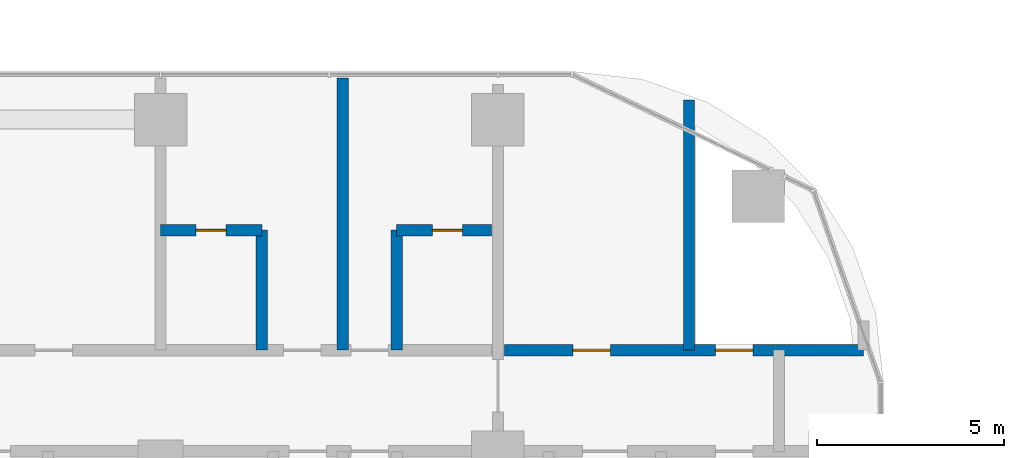
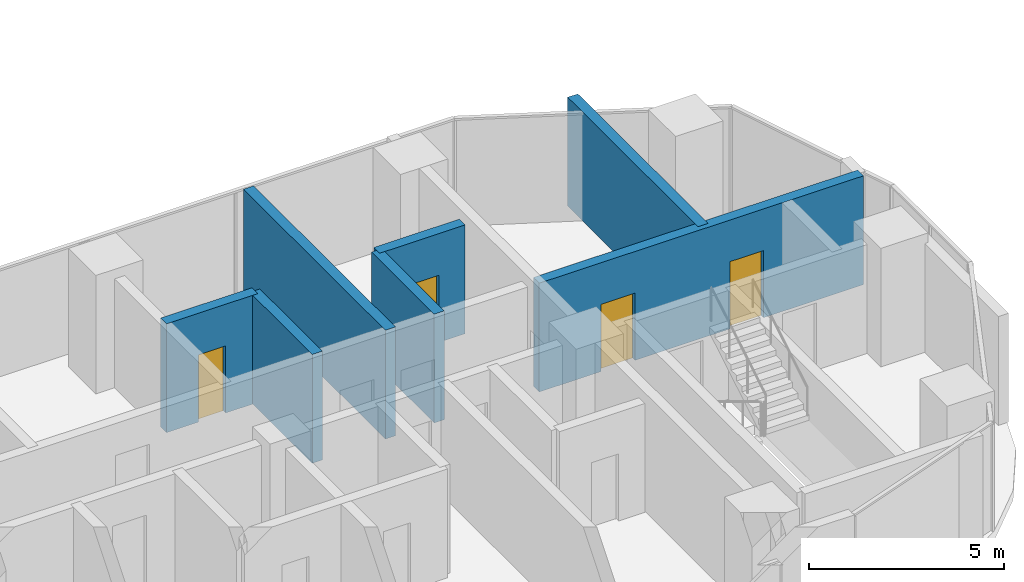
# One storey, part 21 of 36: 7 walls, 4 doors, 4 openings.
"""IFC4 building model written with IfcOpenShell, lengths in metres."""

import ifcopenshell
import ifcopenshell.guid

model = None  # the IFC model being written
_history = None  # IfcOwnerHistory: only IFC2X3 demands one
_inside = {}  # id of a spatial element -> (the spatial element, [elements in it])
_under = {}  # id of a project, library or spatial element -> (it, [spatial elements below it])
_declared = {}  # id of a project -> (the project, [libraries it declares])
_typed = {}  # id of a type object -> (the type object, [elements of that type])
_made_of = {}  # id of a material, layer set ... -> (it, [elements and type objects made of it])


def new_model(schema):
    """Start an empty IFC model of exactly this schema.

    Asked for "IFC4X3", IfcOpenShell would pick the latest addendum, in which some entities
    have other attributes; the version numbers below select the first issue.
    IFC2X3 requires an IfcOwnerHistory on every rooted entity: one is made here for all.
    """
    global model, _history
    if schema == "IFC4X3":
        model = ifcopenshell.file(schema_version=(4, 3, 0, 0))
    else:
        model = ifcopenshell.file(schema=schema)
    _inside.clear()
    _under.clear()
    _declared.clear()
    _typed.clear()
    _made_of.clear()
    _history = None
    if model.schema == "IFC2X3":
        org = make("IfcOrganization", Name="unknown")
        user = make(
            "IfcPersonAndOrganization",
            ThePerson=make("IfcPerson", FamilyName="unknown"),
            TheOrganization=org,
        )
        app = make(
            "IfcApplication",
            ApplicationDeveloper=org,
            Version="unknown",
            ApplicationFullName="unknown",
            ApplicationIdentifier="unknown",
        )
        _history = make(
            "IfcOwnerHistory",
            OwningUser=user,
            OwningApplication=app,
            ChangeAction="ADDED",
            CreationDate=0,
        )
    return model


def make(cls, **values):
    """One entity of the class cls with the attributes given. An attribute that is None is left unset."""
    return model.create_entity(
        cls, **{name: value for name, value in values.items() if value is not None}
    )


def rooted(cls, **values):
    """An entity with a GlobalId (a new one), such as an element, a storey or a relation."""
    return make(cls, GlobalId=ifcopenshell.guid.new(), OwnerHistory=_history, **values)


def si_unit(unit_type, name, prefix=None):
    """IfcSIUnit, for example si_unit("LENGTHUNIT", "METRE", prefix="MILLI")."""
    return make("IfcSIUnit", UnitType=unit_type, Prefix=prefix, Name=name)


def assignment(units):
    """IfcUnitAssignment: the units of a project."""
    return None if units is None else make("IfcUnitAssignment", Units=units)


def point(xyz):
    """IfcCartesianPoint."""
    return None if xyz is None else make("IfcCartesianPoint", Coordinates=xyz)


def direction(xyz):
    """IfcDirection."""
    return None if xyz is None else make("IfcDirection", DirectionRatios=xyz)


def frame(location, z_axis=None, x_axis=None):
    """IfcAxis2Placement3D, a coordinate frame: its origin and axes. An axis left out is left unset."""
    return make(
        "IfcAxis2Placement3D",
        Location=point(location),
        Axis=direction(z_axis),
        RefDirection=direction(x_axis),
    )


def frame_2d(location, x_axis=None):
    """IfcAxis2Placement2D, a coordinate frame in the plane: its origin and x axis."""
    return make(
        "IfcAxis2Placement2D", Location=point(location), RefDirection=direction(x_axis)
    )


def origin():
    """The frame at (0, 0, 0) with its axes left unset."""
    return frame((0.0, 0.0, 0.0))


def place(relative_to, where):
    """IfcLocalPlacement: puts the frame where relative to a parent placement (None: the world)."""
    return make(
        "IfcLocalPlacement", PlacementRelTo=relative_to, RelativePlacement=where
    )


def context(
    kind, dimensions, precision=None, world=None, true_north=None, identifier=None
):
    """IfcGeometricRepresentationContext, for example the 3D "Model" context."""
    return make(
        "IfcGeometricRepresentationContext",
        ContextIdentifier=identifier,
        ContextType=kind,
        CoordinateSpaceDimension=dimensions,
        Precision=precision,
        WorldCoordinateSystem=world,
        TrueNorth=true_north,
    )


def subcontext(parent, identifier, kind, view, scale=None):
    """IfcGeometricRepresentationSubContext, for example "Body" below "Model"."""
    return make(
        "IfcGeometricRepresentationSubContext",
        ContextIdentifier=identifier,
        ContextType=kind,
        ParentContext=parent,
        TargetScale=scale,
        TargetView=view,
    )


def project(units=None, contexts=None):
    """IfcProject with its units and contexts."""
    return rooted(
        "IfcProject",
        Name="project",
        RepresentationContexts=contexts,
        UnitsInContext=assignment(units),
    )


def spatial(cls, under=None, at=None, **own):
    """A site, building, storey or space (cls), placed at a placement, below another one or the project."""
    s = rooted(cls, ObjectPlacement=at, **own)
    if under is not None:
        _under.setdefault(under.id(), (under, []))[1].append(s)
    return s


def profile(cls, at=None, kind="AREA", **sizes):
    """A parametric profile (cls). Its sizes go by their IFC names, for example OverallWidth=200.0."""
    return make(cls, ProfileType=kind, Position=at, **sizes)


def rectangle(**sizes):
    """IfcRectangleProfileDef."""
    return profile("IfcRectangleProfileDef", **sizes)


def extrude(swept, where, along, depth):
    """IfcExtrudedAreaSolid: the profile swept, set in the frame where, extruded along a direction by depth."""
    return make(
        "IfcExtrudedAreaSolid",
        SweptArea=swept,
        Position=where,
        ExtrudedDirection=direction(along),
        Depth=depth,
    )


def shape(context_of_items, identifier, shape_type, items):
    """IfcShapeRepresentation: the items that make up one representation, for example the "Body"."""
    return make(
        "IfcShapeRepresentation",
        ContextOfItems=context_of_items,
        RepresentationIdentifier=identifier,
        RepresentationType=shape_type,
        Items=items,
    )


def material(Name=None, Category=None):
    """IfcMaterial."""
    return make("IfcMaterial", Name=Name, Category=Category)


def layer(
    of_material, thickness, ventilated=None, Name=None, Category=None, Priority=None
):
    """IfcMaterialLayer: one layer of a wall or slab, of a material (None: an air gap)."""
    return make(
        "IfcMaterialLayer",
        Material=of_material,
        LayerThickness=thickness,
        IsVentilated=ventilated,
        Name=Name,
        Category=Category,
        Priority=Priority,
    )


def layer_set(layers, Name=None):
    """IfcMaterialLayerSet."""
    return make("IfcMaterialLayerSet", MaterialLayers=layers, LayerSetName=Name)


def made_of(thing, what):
    """Note that an element or type object is made of a material, layer set ...; save() writes the relation."""
    if what is not None:
        _made_of.setdefault(what.id(), (what, []))[1].append(thing)
    return thing


def type_object(cls, material=None, **own):
    """A type object (cls), such as IfcWallType, which elements share."""
    return made_of(rooted(cls, **own), material)


def element(
    cls,
    number,
    at=None,
    inside=None,
    cuts=None,
    type_object=None,
    material=None,
    context=None,
    identifier="Body",
    shape_type=None,
    held_by="IfcProductDefinitionShape",
    body=None,
    shapes=None,
    **own,
):
    """One element of the class cls, such as IfcWall. Its Tag is "e" and its number.

    at: its placement. inside: the storey or other place that contains it. cuts: it is an
    opening in that element (IfcRelVoidsElement). A single representation is given by context,
    identifier, shape_type and body (its items); several are given by shapes. held_by: the class
    of the entity that holds the representations. save() writes the other relations.
    """
    e = rooted(cls, Tag="e%d" % number, ObjectPlacement=at, **own)
    if body is not None:
        shapes = [shape(context, identifier, shape_type, body)]
    if shapes is not None:
        e.Representation = make(held_by, Representations=shapes)
    if inside is not None:
        _inside.setdefault(inside.id(), (inside, []))[1].append(e)
    if cuts is not None:
        rooted(
            "IfcRelVoidsElement", RelatingBuildingElement=cuts, RelatedOpeningElement=e
        )
    if type_object is not None:
        _typed.setdefault(type_object.id(), (type_object, []))[1].append(e)
    return made_of(e, material)


def fill(opening, filler):
    """IfcRelFillsElement: the door or window that sits in an opening."""
    return rooted(
        "IfcRelFillsElement",
        RelatingOpeningElement=opening,
        RelatedBuildingElement=filler,
    )


def aggregate(whole, parts):
    """IfcRelAggregates: a whole, such as a stair, and the parts it consists of."""
    return rooted("IfcRelAggregates", RelatingObject=whole, RelatedObjects=parts)


def save(model, path):
    """Write the relations noted so far, then the file.

    IfcRelAggregates (storeys below a building ...), IfcRelContainedInSpatialStructure (elements
    in a storey), IfcRelDefinesByType, IfcRelAssociatesMaterial and IfcRelDeclares: one each for
    every whole, place, type object, material and project.
    """
    for whole, parts in _under.values():
        aggregate(whole, parts)
    for where, things in _inside.values():
        rooted(
            "IfcRelContainedInSpatialStructure",
            RelatedElements=things,
            RelatingStructure=where,
        )
    for kind, things in _typed.values():
        rooted("IfcRelDefinesByType", RelatedObjects=things, RelatingType=kind)
    for what, things in _made_of.values():
        rooted("IfcRelAssociatesMaterial", RelatedObjects=things, RelatingMaterial=what)
    for by, libraries in _declared.values():
        rooted("IfcRelDeclares", RelatingContext=by, RelatedDefinitions=libraries)
    model.write(path)


model = new_model("IFC4")

# Units and contexts
model_context = context("Model", 3, precision=1e-05, world=origin(), true_north=direction((0.0, 1.0)))
body_context = subcontext(model_context, "Body", "Model", "MODEL_VIEW")
ifc_project = project(units=[si_unit("LENGTHUNIT", "METRE"), si_unit("AREAUNIT", "SQUARE_METRE"), si_unit("VOLUMEUNIT", "CUBIC_METRE"), si_unit("PLANEANGLEUNIT", "RADIAN"), si_unit("MASSUNIT", "GRAM", prefix="KILO")], contexts=[model_context])

# Site, building, storey
site_placement = place(None, origin())
site = spatial("IfcSite", under=ifc_project, at=site_placement, CompositionType="ELEMENT")
building_placement = place(site_placement, origin())
building = spatial("IfcBuilding", under=site, at=building_placement, Name="Ogive Portal Towers", CompositionType="ELEMENT")
storey_placement = place(building_placement, frame((0.0, 0.0, 48.300048828125)))
storey = spatial("IfcBuildingStorey", under=building, at=storey_placement, Name="L10", CompositionType="ELEMENT", Elevation=48.300048828125)

# Wall, openings, doors
ifc_material_1 = material(Name="Gypsum board partition on steel studs", Category="steel")
ifc_layer_1 = layer(ifc_material_1, 0.300048828125)
ifc_layer_set_1 = layer_set([ifc_layer_1], Name="WT-PART-300-EI 120")
wall_type_1 = type_object("IfcWallType", Name="WT-PART-300-EI 120", PredefinedType="PARTITIONING", material=ifc_layer_set_1)
wall_1_placement = place(storey_placement, frame((85.669921875, 33.35009765625, 0.0), z_axis=(0.0, 0.0, 1.0), x_axis=(1.0, 0.0, 0.0)))
wall_1 = element("IfcWall", 1, at=wall_1_placement, inside=storey, type_object=wall_type_1, Name="Wall L10:w009", PredefinedType="PARTITIONING", context=body_context, shape_type="SweptSolid", body=[
    extrude(rectangle(XDim=9.580078125, YDim=0.300048828125, at=frame_2d((4.7900390625, 0.0))), origin(), (0.0, 0.0, 1.0), 3.39990234375),
])
opening_1_placement = place(wall_1_placement, frame((1.830078125, 0.0, 0.0)))
opening_1 = element("IfcOpeningElement", 2, at=opening_1_placement, cuts=wall_1, Name="Opening D02-065", PredefinedType="OPENING", context=body_context, shape_type="SweptSolid", body=[
    extrude(rectangle(XDim=1.0, YDim=2.10009765625, at=frame_2d((0.5, 1.050048828125))), frame((0.0, 0.16015625, 0.0), z_axis=(0.0, -1.0, 0.0), x_axis=(1.0, 0.0, 0.0)), (0.0, 0.0, 1.0), 0.320068359375),
])
opening_2_placement = place(wall_1_placement, frame((5.6298828125, 0.0, 0.0)))
opening_2 = element("IfcOpeningElement", 3, at=opening_2_placement, cuts=wall_1, Name="Opening D02-066", PredefinedType="OPENING", context=body_context, shape_type="SweptSolid", body=[
    extrude(rectangle(XDim=1.0, YDim=2.10009765625, at=frame_2d((0.5, 1.050048828125))), frame((0.0, 0.16015625, 0.0), z_axis=(0.0, -1.0, 0.0), x_axis=(1.0, 0.0, 0.0)), (0.0, 0.0, 1.0), 0.320068359375),
])
ifc_material_2 = material(Name="Steel fire door", Category="steel")
door_type_1 = type_object("IfcDoorType", Name="DT-SERVICE-1000x2100-FD90S", OperationType="SINGLE_SWING_LEFT", PredefinedType="DOOR", material=ifc_material_2)
door_1_placement = place(opening_1_placement, origin())
door_1 = element("IfcDoor", 4, at=door_1_placement, inside=storey, type_object=door_type_1, Name="Door D02-065", OperationType="SINGLE_SWING_LEFT", OverallHeight=2.10009765625, OverallWidth=1.0, PredefinedType="DOOR", context=body_context, shape_type="SweptSolid", body=[
    extrude(rectangle(XDim=1.0, YDim=2.10009765625, at=frame_2d((0.5, 1.050048828125))), frame((0.0, 0.02490234375, 0.0), z_axis=(0.0, -1.0, 0.0), x_axis=(1.0, 0.0, 0.0)), (0.0, 0.0, 1.0), 0.050048828125),
])
fill(opening_1, door_1)
door_2_placement = place(opening_2_placement, origin())
door_2 = element("IfcDoor", 5, at=door_2_placement, inside=storey, type_object=door_type_1, Name="Riser access door D02-066", OperationType="SINGLE_SWING_RIGHT", OverallHeight=2.10009765625, OverallWidth=1.0, PredefinedType="DOOR", context=body_context, shape_type="SweptSolid", body=[
    extrude(rectangle(XDim=1.0, YDim=2.10009765625, at=frame_2d((0.5, 1.050048828125))), frame((0.0, 0.02490234375, 0.0), z_axis=(0.0, -1.0, 0.0), x_axis=(1.0, 0.0, 0.0)), (0.0, 0.0, 1.0), 0.050048828125),
])
fill(opening_2, door_2)

# Wall, opening, door
ifc_layer_2 = layer(ifc_material_1, 0.300048828125)
ifc_layer_set_2 = layer_set([ifc_layer_2], Name="WT-PART-300-EI 60")
wall_type_2 = type_object("IfcWallType", Name="WT-PART-300-EI 60", PredefinedType="PARTITIONING", material=ifc_layer_set_2)
wall_2_placement = place(storey_placement, frame((76.5, 36.550048828125, 0.0), z_axis=(0.0, 0.0, 1.0), x_axis=(1.0, 0.0, 0.0)))
wall_2 = element("IfcWall", 6, at=wall_2_placement, inside=storey, type_object=wall_type_2, Name="Wall L10:w011", PredefinedType="PARTITIONING", context=body_context, shape_type="SweptSolid", body=[
    extrude(rectangle(XDim=2.699951171875, YDim=0.300048828125, at=frame_2d((1.35009765625, 0.0))), origin(), (0.0, 0.0, 1.0), 3.39990234375),
])
opening_3_placement = place(wall_2_placement, frame((0.949951171875, 0.0, 0.0)))
opening_3 = element("IfcOpeningElement", 7, at=opening_3_placement, cuts=wall_2, Name="Opening D02-037", PredefinedType="OPENING", context=body_context, shape_type="SweptSolid", body=[
    extrude(rectangle(XDim=0.800048828125, YDim=2.10009765625, at=frame_2d((0.39990234375, 1.050048828125))), frame((0.0, 0.16015625, 0.0), z_axis=(0.0, -1.0, 0.0), x_axis=(1.0, 0.0, 0.0)), (0.0, 0.0, 1.0), 0.320068359375),
])
door_type_2 = type_object("IfcDoorType", Name="DT-BATH-800x2100-FD60S", OperationType="SINGLE_SWING_LEFT", PredefinedType="DOOR", material=ifc_material_2)
door_3_placement = place(opening_3_placement, origin())
door_3 = element("IfcDoor", 8, at=door_3_placement, inside=storey, type_object=door_type_2, Name="Door D02-037", OperationType="SINGLE_SWING_LEFT", OverallHeight=2.10009765625, OverallWidth=0.800048828125, PredefinedType="DOOR", context=body_context, shape_type="SweptSolid", body=[
    extrude(rectangle(XDim=0.800048828125, YDim=2.10009765625, at=frame_2d((0.39990234375, 1.050048828125))), frame((0.0, 0.02490234375, 0.0), z_axis=(0.0, -1.0, 0.0), x_axis=(1.0, 0.0, 0.0)), (0.0, 0.0, 1.0), 0.050048828125),
])
fill(opening_3, door_3)

wall_3_placement = place(storey_placement, frame((82.800048828125, 36.550048828125, 0.0), z_axis=(0.0, 0.0, 1.0), x_axis=(1.0, 0.0, 0.0)))
wall_3 = element("IfcWall", 9, at=wall_3_placement, inside=storey, type_object=wall_type_2, Name="Wall L10:w012", PredefinedType="PARTITIONING", context=body_context, shape_type="SweptSolid", body=[
    extrude(rectangle(XDim=2.530029296875, YDim=0.300048828125, at=frame_2d((1.26513671875, 0.0))), origin(), (0.0, 0.0, 1.0), 3.39990234375),
])
opening_4_placement = place(wall_3_placement, frame((0.949951171875, 0.0, 0.0)))
opening_4 = element("IfcOpeningElement", 10, at=opening_4_placement, cuts=wall_3, Name="Opening D02-039", PredefinedType="OPENING", context=body_context, shape_type="SweptSolid", body=[
    extrude(rectangle(XDim=0.800048828125, YDim=2.10009765625, at=frame_2d((0.39990234375, 1.050048828125))), frame((0.0, 0.16015625, 0.0), z_axis=(0.0, -1.0, 0.0), x_axis=(1.0, 0.0, 0.0)), (0.0, 0.0, 1.0), 0.320068359375),
])
door_4_placement = place(opening_4_placement, origin())
door_4 = element("IfcDoor", 11, at=door_4_placement, inside=storey, type_object=door_type_2, Name="Door D02-039", OperationType="SINGLE_SWING_RIGHT", OverallHeight=2.10009765625, OverallWidth=0.800048828125, PredefinedType="DOOR", context=body_context, shape_type="SweptSolid", body=[
    extrude(rectangle(XDim=0.800048828125, YDim=2.10009765625, at=frame_2d((0.39990234375, 1.050048828125))), frame((0.0, 0.02490234375, 0.0), z_axis=(0.0, -1.0, 0.0), x_axis=(1.0, 0.0, 0.0)), (0.0, 0.0, 1.0), 0.050048828125),
])
fill(opening_4, door_4)

# Walls
wall_4_placement = place(storey_placement, frame((79.199951171875, 33.35009765625, 0.0), z_axis=(0.0, 0.0, 1.0), x_axis=(0.0, 1.0, 0.0)))
element("IfcWall", 12, at=wall_4_placement, inside=storey, type_object=wall_type_2, Name="Wall L10:w059", PredefinedType="PARTITIONING", context=body_context, shape_type="SweptSolid", body=[
    extrude(rectangle(XDim=3.199951171875, YDim=0.300048828125, at=frame_2d((1.60009765625, 0.0))), origin(), (0.0, 0.0, 1.0), 3.39990234375),
])
wall_5_placement = place(storey_placement, frame((81.360107421875, 33.35009765625, 0.0), z_axis=(0.0, 0.0, 1.0), x_axis=(0.0, 1.0, 0.0)))
element("IfcWall", 13, at=wall_5_placement, inside=storey, type_object=wall_type_2, Name="Wall L10:w062", PredefinedType="PARTITIONING", context=body_context, shape_type="SweptSolid", body=[
    extrude(rectangle(XDim=7.264892578125, YDim=0.300048828125, at=frame_2d((3.63232421875, 0.0))), origin(), (0.0, 0.0, 1.0), 3.39990234375),
])
wall_6_placement = place(storey_placement, frame((82.800048828125, 33.35009765625, 0.0), z_axis=(0.0, 0.0, 1.0), x_axis=(0.0, 1.0, 0.0)))
element("IfcWall", 14, at=wall_6_placement, inside=storey, type_object=wall_type_2, Name="Wall L10:w064", PredefinedType="PARTITIONING", context=body_context, shape_type="SweptSolid", body=[
    extrude(rectangle(XDim=3.199951171875, YDim=0.300048828125, at=frame_2d((1.60009765625, 0.0))), origin(), (0.0, 0.0, 1.0), 3.39990234375),
])
wall_7_placement = place(storey_placement, frame((90.60009765625, 33.35009765625, 0.0), z_axis=(0.0, 0.0, 1.0), x_axis=(0.0, 1.0, 0.0)))
element("IfcWall", 15, at=wall_7_placement, inside=storey, type_object=wall_type_2, Name="Wall L10:w067", PredefinedType="PARTITIONING", context=body_context, shape_type="SweptSolid", body=[
    extrude(rectangle(XDim=6.671875, YDim=0.300048828125, at=frame_2d((3.3359375, 0.0))), origin(), (0.0, 0.0, 1.0), 3.39990234375),
])

save(model, "model.ifc")
